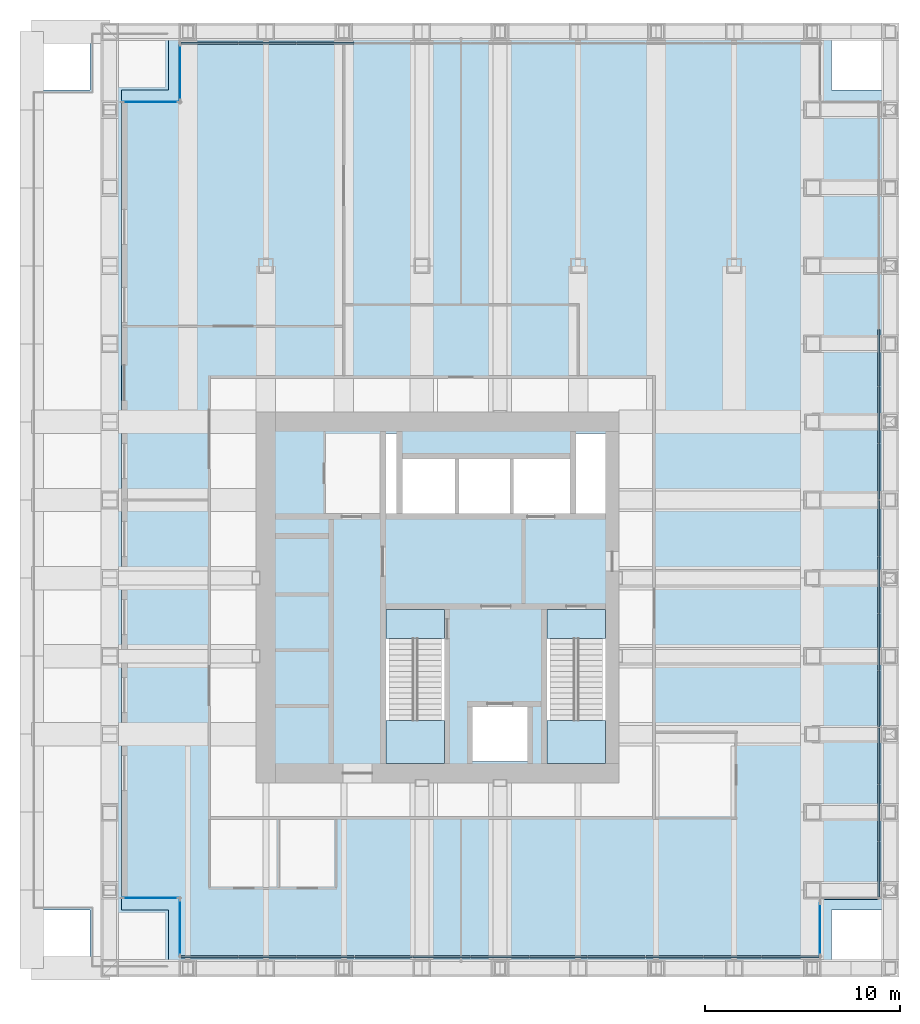
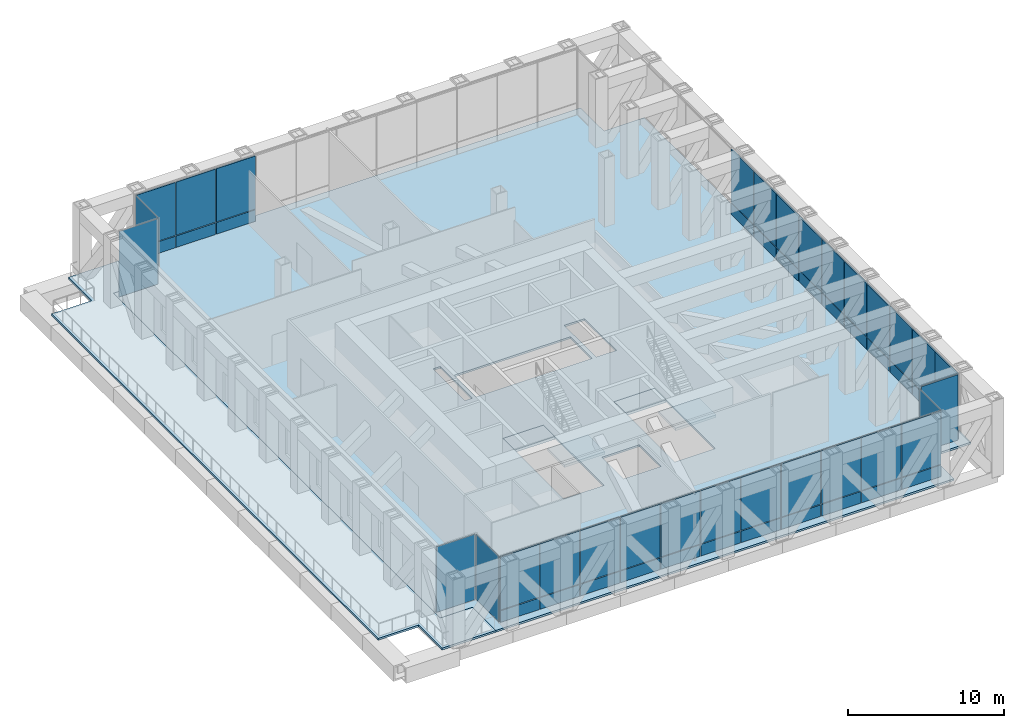
# One storey, part 8 of 12: 54 plates, 6 slabs, 11 elements without a shape of their own.
"""IFC4 building model written with IfcOpenShell, lengths in metres."""

from ifc_helpers import new_model, si_unit, direction, frame, origin, origin_2d, place, context, subcontext, project, spatial, polyline, rectangle, outline, extrude, material, layer, layer_set, type_object, element, aggregate, save


model = new_model("IFC4")

# Units and contexts
model_context = context("Model", 3, precision=1e-05, world=origin(), true_north=direction((0.0, 1.0)))
body_context = subcontext(model_context, "Body", "Model", "MODEL_VIEW")
ifc_project = project(units=[si_unit("LENGTHUNIT", "METRE"), si_unit("AREAUNIT", "SQUARE_METRE"), si_unit("VOLUMEUNIT", "CUBIC_METRE"), si_unit("PLANEANGLEUNIT", "RADIAN"), si_unit("MASSUNIT", "GRAM", prefix="KILO")], contexts=[model_context])

# Site, building, storey
site_placement = place(None, origin())
site = spatial("IfcSite", under=ifc_project, at=site_placement, CompositionType="ELEMENT")
building_placement = place(site_placement, origin())
building = spatial("IfcBuilding", under=site, at=building_placement, Name="Rimbunsela Tower", CompositionType="ELEMENT")
storey_placement = place(building_placement, frame((0.0, 0.0, 203.800048828125)))
storey = spatial("IfcBuildingStorey", under=building, at=storey_placement, Name="L49", CompositionType="ELEMENT", Elevation=203.800048828125)

# Slab
ifc_material_1 = material(Name="Concrete fc' 35 MPa", Category="concrete")
ifc_layer_1 = layer(ifc_material_1, 0.14990234375)
ifc_layer_set_1 = layer_set([ifc_layer_1], Name="Floor slab 150")
slab_type_1 = type_object("IfcSlabType", Name="Floor slab 150", PredefinedType="FLOOR", material=ifc_layer_set_1)
slab_1_placement = place(storey_placement, frame((0.0, 0.0, -0.150146484375)))
element("IfcSlab", 1, at=slab_1_placement, inside=storey, type_object=slab_type_1, Name="Floor slab L49", PredefinedType="FLOOR", context=body_context, shape_type="SweptSolid", body=[
    extrude(outline(polyline([(13.0, 53.0), (10.60009765625, 53.0), (10.60009765625, 11.0), (13.0, 11.0), (13.0, 8.0), (47.0, 8.0), (47.0, 11.0), (50.0, 11.0), (50.0, 53.0), (47.0, 53.0), (47.0, 56.0), (13.0, 56.0), (13.0, 53.0)]), holes=[polyline([(27.14990234375, 26.39990234375), (24.14990234375, 26.39990234375), (24.14990234375, 18.60009765625), (27.14990234375, 18.60009765625), (27.14990234375, 26.39990234375)]), polyline([(24.699951171875, 35.39990234375), (24.14990234375, 35.39990234375), (24.14990234375, 31.300048828125), (24.699951171875, 31.300048828125), (24.699951171875, 35.39990234375)]), polyline([(25.0, 34.10009765625), (25.0, 31.300048828125), (33.60009765625, 31.300048828125), (33.60009765625, 34.10009765625), (25.0, 34.10009765625)]), polyline([(31.39990234375, 21.39990234375), (28.60009765625, 21.39990234375), (28.60009765625, 18.60009765625), (31.39990234375, 18.60009765625), (31.39990234375, 21.39990234375)]), polyline([(35.39990234375, 26.39990234375), (32.39990234375, 26.39990234375), (32.39990234375, 18.60009765625), (35.39990234375, 18.60009765625), (35.39990234375, 26.39990234375)]), polyline([(35.39990234375, 35.39990234375), (33.89990234375, 35.39990234375), (33.89990234375, 31.300048828125), (35.39990234375, 31.300048828125), (35.39990234375, 35.39990234375)])]), origin(), (0.0, 0.0, 1.0), 0.150146484375),
])

# Curtain wall, plate
ifc_material_2 = material(Name="Aluminium curtain wall", Category="aluminium")
curtain_wall_type_1 = type_object("IfcCurtainWallType", Name="Corner glazing", PredefinedType="USERDEFINED", material=ifc_material_2)
curtain_wall_1_placement = place(storey_placement, origin())
curtain_wall_1 = element("IfcCurtainWall", 2, at=curtain_wall_1_placement, inside=storey, type_object=curtain_wall_type_1, Name="Corner glazing L49", ObjectType="CORNER GLAZING", PredefinedType="USERDEFINED")
ifc_material_3 = material(Name="Clear double glazing", Category="glass")
ifc_layer_2 = layer(ifc_material_3, 0.028076171875)
ifc_layer_set_2 = layer_set([ifc_layer_2], Name="Glazed panel clear")
plate_type_1 = type_object("IfcPlateType", Name="Glazed panel clear", PredefinedType="CURTAIN_PANEL", material=ifc_layer_set_2)
plate_1_placement = place(storey_placement, frame((46.39990234375, 10.00244140625, 0.06005859375), z_axis=(0.0, 0.0, 1.0), x_axis=(0.0, 1.0, 0.0)))
plate_1 = element("IfcPlate", 3, at=plate_1_placement, type_object=plate_type_1, Name="CW5 panel 1.1", PredefinedType="CURTAIN_PANEL", context=body_context, shape_type="SweptSolid", body=[
    extrude(rectangle(XDim=2.68505859375, YDim=0.028076171875, at=origin_2d()), origin(), (0.0, 0.0, 1.0), 5.1298828125),
])
aggregate(curtain_wall_1, [plate_1])

curtain_wall_2_placement = place(storey_placement, origin())
curtain_wall_2 = element("IfcCurtainWall", 4, at=curtain_wall_2_placement, inside=storey, type_object=curtain_wall_type_1, Name="Corner glazing L49", ObjectType="CORNER GLAZING", PredefinedType="USERDEFINED")
plate_2_placement = place(storey_placement, frame((13.60009765625, 53.89990234375, 0.06005859375), z_axis=(0.0, 0.0, 1.0), x_axis=(0.0, -1.0, 0.0)))
plate_2 = element("IfcPlate", 5, at=plate_2_placement, type_object=plate_type_1, Name="CW5 panel 1.1", PredefinedType="CURTAIN_PANEL", context=body_context, shape_type="SweptSolid", body=[
    extrude(rectangle(XDim=2.8798828125, YDim=0.028076171875, at=origin_2d()), origin(), (0.0, 0.0, 1.0), 5.1298828125),
])
aggregate(curtain_wall_2, [plate_2])

curtain_wall_3_placement = place(storey_placement, origin())
curtain_wall_3 = element("IfcCurtainWall", 6, at=curtain_wall_3_placement, inside=storey, type_object=curtain_wall_type_1, Name="Corner glazing L49", ObjectType="CORNER GLAZING", PredefinedType="USERDEFINED")
plate_3_placement = place(storey_placement, frame((12.10009765625, 52.39990234375, 0.06005859375), z_axis=(0.0, 0.0, 1.0), x_axis=(-1.0, 0.0, 0.0)))
plate_3 = element("IfcPlate", 7, at=plate_3_placement, type_object=plate_type_1, Name="CW5 panel 1.1", PredefinedType="CURTAIN_PANEL", context=body_context, shape_type="SweptSolid", body=[
    extrude(rectangle(XDim=2.8798828125, YDim=0.028076171875, at=origin_2d()), origin(), (0.0, 0.0, 1.0), 5.1298828125),
])
aggregate(curtain_wall_3, [plate_3])

curtain_wall_4_placement = place(storey_placement, origin())
curtain_wall_4 = element("IfcCurtainWall", 8, at=curtain_wall_4_placement, inside=storey, type_object=curtain_wall_type_1, Name="Corner glazing L49", ObjectType="CORNER GLAZING", PredefinedType="USERDEFINED")
plate_4_placement = place(storey_placement, frame((12.10009765625, 11.60009765625, 0.06005859375), z_axis=(0.0, 0.0, 1.0), x_axis=(1.0, 0.0, 0.0)))
plate_4 = element("IfcPlate", 9, at=plate_4_placement, type_object=plate_type_1, Name="CW5 panel 1.1", PredefinedType="CURTAIN_PANEL", context=body_context, shape_type="SweptSolid", body=[
    extrude(rectangle(XDim=2.8798828125, YDim=0.028076171875, at=origin_2d()), origin(), (0.0, 0.0, 1.0), 5.1298828125),
])
aggregate(curtain_wall_4, [plate_4])

curtain_wall_5_placement = place(storey_placement, origin())
curtain_wall_5 = element("IfcCurtainWall", 10, at=curtain_wall_5_placement, inside=storey, type_object=curtain_wall_type_1, Name="Corner glazing L49", ObjectType="CORNER GLAZING", PredefinedType="USERDEFINED")
plate_5_placement = place(storey_placement, frame((13.60009765625, 10.10009765625, 0.06005859375), z_axis=(0.0, 0.0, 1.0), x_axis=(0.0, -1.0, 0.0)))
plate_5 = element("IfcPlate", 11, at=plate_5_placement, type_object=plate_type_1, Name="CW5 panel 1.1", PredefinedType="CURTAIN_PANEL", context=body_context, shape_type="SweptSolid", body=[
    extrude(rectangle(XDim=2.8798828125, YDim=0.028076171875, at=origin_2d()), origin(), (0.0, 0.0, 1.0), 5.1298828125),
])
aggregate(curtain_wall_5, [plate_5])

ifc_material_4 = material(Name="Aluminium curtain wall", Category="aluminium")
curtain_wall_type_2 = type_object("IfcCurtainWallType", Name="Spandrel wall", PredefinedType="USERDEFINED", material=ifc_material_4)
curtain_wall_6_placement = place(storey_placement, origin())
curtain_wall_6 = element("IfcCurtainWall", 12, at=curtain_wall_6_placement, inside=storey, type_object=curtain_wall_type_2, Name="Spandrel wall L49", ObjectType="SPANDREL WALL", PredefinedType="USERDEFINED")
ifc_material_5 = material(Name="Insulated aluminium spandrel panel", Category="aluminium")
ifc_layer_3 = layer(ifc_material_5, 0.10009765625)
ifc_layer_set_3 = layer_set([ifc_layer_3], Name="Insulated panel 100")
plate_type_2 = type_object("IfcPlateType", Name="Insulated panel 100", PredefinedType="CURTAIN_PANEL", material=ifc_layer_set_3)
plate_6_placement = place(storey_placement, frame((47.99755859375, 11.60009765625, 0.06005859375), z_axis=(0.0, 0.0, 1.0), x_axis=(1.0, 0.0, 0.0)))
plate_6 = element("IfcPlate", 13, at=plate_6_placement, type_object=plate_type_2, Name="CW7 panel 1.1", PredefinedType="CURTAIN_PANEL", context=body_context, shape_type="SweptSolid", body=[
    extrude(rectangle(XDim=2.68505859375, YDim=0.10009765625, at=origin_2d()), origin(), (0.0, 0.0, 1.0), 5.1298828125),
])
aggregate(curtain_wall_6, [plate_6])

# Curtain wall, plates
ifc_material_6 = material(Name="Aluminium curtain wall", Category="aluminium")
curtain_wall_type_3 = type_object("IfcCurtainWallType", Name="Plant floor louvre wall", PredefinedType="USERDEFINED", material=ifc_material_6)
curtain_wall_7_placement = place(storey_placement, origin())
curtain_wall_7 = element("IfcCurtainWall", 14, at=curtain_wall_7_placement, inside=storey, type_object=curtain_wall_type_3, Name="Plant floor louvre wall L49", ObjectType="PLANT FLOOR LOUVRE WALL", PredefinedType="USERDEFINED")
ifc_material_7 = material(Name="Aluminium louvre blades 100 deep", Category="aluminium")
ifc_layer_4 = layer(ifc_material_7, 0.10009765625)
ifc_layer_set_4 = layer_set([ifc_layer_4], Name="Louvre panel 100")
plate_type_3 = type_object("IfcPlateType", Name="Louvre panel 100", PredefinedType="CURTAIN_PANEL", material=ifc_layer_set_4)
plate_7_placement = place(storey_placement, frame((49.39990234375, 13.072021484375, 0.06005859375), z_axis=(0.0, 0.0, 1.0), x_axis=(0.0, 1.0, 0.0)))
plate_7 = element("IfcPlate", 15, at=plate_7_placement, type_object=plate_type_3, Name="CW3 panel 1.1", PredefinedType="CURTAIN_PANEL", context=body_context, shape_type="SweptSolid", body=[
    extrude(rectangle(XDim=2.82421875, YDim=0.10009765625, at=origin_2d()), origin(), (0.0, 0.0, 1.0), 0.909912109375),
])
plate_8_placement = place(storey_placement, frame((49.39990234375, 13.072021484375, 1.02978515625), z_axis=(0.0, 0.0, 1.0), x_axis=(0.0, 1.0, 0.0)))
plate_8 = element("IfcPlate", 16, at=plate_8_placement, type_object=plate_type_3, Name="CW3 panel 1.2", PredefinedType="CURTAIN_PANEL", context=body_context, shape_type="SweptSolid", body=[
    extrude(rectangle(XDim=2.82421875, YDim=0.10009765625, at=origin_2d()), origin(), (0.0, 0.0, 1.0), 4.159912109375),
])
plate_9_placement = place(storey_placement, frame((49.39990234375, 15.971435546875, 0.06005859375), z_axis=(0.0, 0.0, 1.0), x_axis=(0.0, 1.0, 0.0)))
plate_9 = element("IfcPlate", 17, at=plate_9_placement, type_object=plate_type_3, Name="CW3 panel 2.1", PredefinedType="CURTAIN_PANEL", context=body_context, shape_type="SweptSolid", body=[
    extrude(rectangle(XDim=2.854248046875, YDim=0.10009765625, at=origin_2d()), origin(), (0.0, 0.0, 1.0), 0.909912109375),
])
plate_10_placement = place(storey_placement, frame((49.39990234375, 15.971435546875, 1.02978515625), z_axis=(0.0, 0.0, 1.0), x_axis=(0.0, 1.0, 0.0)))
plate_10 = element("IfcPlate", 18, at=plate_10_placement, type_object=plate_type_3, Name="CW3 panel 2.2", PredefinedType="CURTAIN_PANEL", context=body_context, shape_type="SweptSolid", body=[
    extrude(rectangle(XDim=2.854248046875, YDim=0.10009765625, at=origin_2d()), origin(), (0.0, 0.0, 1.0), 4.159912109375),
])
plate_11_placement = place(storey_placement, frame((49.39990234375, 18.8857421875, 0.06005859375), z_axis=(0.0, 0.0, 1.0), x_axis=(0.0, 1.0, 0.0)))
plate_11 = element("IfcPlate", 19, at=plate_11_placement, type_object=plate_type_3, Name="CW3 panel 3.1", PredefinedType="CURTAIN_PANEL", context=body_context, shape_type="SweptSolid", body=[
    extrude(rectangle(XDim=2.854248046875, YDim=0.10009765625, at=origin_2d()), origin(), (0.0, 0.0, 1.0), 0.909912109375),
])
plate_12_placement = place(storey_placement, frame((49.39990234375, 18.8857421875, 1.02978515625), z_axis=(0.0, 0.0, 1.0), x_axis=(0.0, 1.0, 0.0)))
plate_12 = element("IfcPlate", 20, at=plate_12_placement, type_object=plate_type_3, Name="CW3 panel 3.2", PredefinedType="CURTAIN_PANEL", context=body_context, shape_type="SweptSolid", body=[
    extrude(rectangle(XDim=2.854248046875, YDim=0.10009765625, at=origin_2d()), origin(), (0.0, 0.0, 1.0), 4.159912109375),
])
plate_13_placement = place(storey_placement, frame((49.39990234375, 21.800048828125, 0.06005859375), z_axis=(0.0, 0.0, 1.0), x_axis=(0.0, 1.0, 0.0)))
plate_13 = element("IfcPlate", 21, at=plate_13_placement, type_object=plate_type_3, Name="CW3 panel 4.1", PredefinedType="CURTAIN_PANEL", context=body_context, shape_type="SweptSolid", body=[
    extrude(rectangle(XDim=2.854248046875, YDim=0.10009765625, at=origin_2d()), origin(), (0.0, 0.0, 1.0), 0.909912109375),
])
plate_14_placement = place(storey_placement, frame((49.39990234375, 21.800048828125, 1.02978515625), z_axis=(0.0, 0.0, 1.0), x_axis=(0.0, 1.0, 0.0)))
plate_14 = element("IfcPlate", 22, at=plate_14_placement, type_object=plate_type_3, Name="CW3 panel 4.2", PredefinedType="CURTAIN_PANEL", context=body_context, shape_type="SweptSolid", body=[
    extrude(rectangle(XDim=2.854248046875, YDim=0.10009765625, at=origin_2d()), origin(), (0.0, 0.0, 1.0), 4.159912109375),
])
plate_15_placement = place(storey_placement, frame((49.39990234375, 24.71435546875, 0.06005859375), z_axis=(0.0, 0.0, 1.0), x_axis=(0.0, 1.0, 0.0)))
plate_15 = element("IfcPlate", 23, at=plate_15_placement, type_object=plate_type_3, Name="CW3 panel 5.1", PredefinedType="CURTAIN_PANEL", context=body_context, shape_type="SweptSolid", body=[
    extrude(rectangle(XDim=2.854248046875, YDim=0.10009765625, at=origin_2d()), origin(), (0.0, 0.0, 1.0), 0.909912109375),
])
plate_16_placement = place(storey_placement, frame((49.39990234375, 24.71435546875, 1.02978515625), z_axis=(0.0, 0.0, 1.0), x_axis=(0.0, 1.0, 0.0)))
plate_16 = element("IfcPlate", 24, at=plate_16_placement, type_object=plate_type_3, Name="CW3 panel 5.2", PredefinedType="CURTAIN_PANEL", context=body_context, shape_type="SweptSolid", body=[
    extrude(rectangle(XDim=2.854248046875, YDim=0.10009765625, at=origin_2d()), origin(), (0.0, 0.0, 1.0), 4.159912109375),
])
plate_17_placement = place(storey_placement, frame((49.39990234375, 27.628662109375, 0.06005859375), z_axis=(0.0, 0.0, 1.0), x_axis=(0.0, 1.0, 0.0)))
plate_17 = element("IfcPlate", 25, at=plate_17_placement, type_object=plate_type_3, Name="CW3 panel 6.1", PredefinedType="CURTAIN_PANEL", context=body_context, shape_type="SweptSolid", body=[
    extrude(rectangle(XDim=2.854248046875, YDim=0.10009765625, at=origin_2d()), origin(), (0.0, 0.0, 1.0), 0.909912109375),
])
plate_18_placement = place(storey_placement, frame((49.39990234375, 27.628662109375, 1.02978515625), z_axis=(0.0, 0.0, 1.0), x_axis=(0.0, 1.0, 0.0)))
plate_18 = element("IfcPlate", 26, at=plate_18_placement, type_object=plate_type_3, Name="CW3 panel 6.2", PredefinedType="CURTAIN_PANEL", context=body_context, shape_type="SweptSolid", body=[
    extrude(rectangle(XDim=2.854248046875, YDim=0.10009765625, at=origin_2d()), origin(), (0.0, 0.0, 1.0), 4.159912109375),
])
plate_19_placement = place(storey_placement, frame((49.39990234375, 30.54296875, 0.06005859375), z_axis=(0.0, 0.0, 1.0), x_axis=(0.0, 1.0, 0.0)))
plate_19 = element("IfcPlate", 27, at=plate_19_placement, type_object=plate_type_3, Name="CW3 panel 7.1", PredefinedType="CURTAIN_PANEL", context=body_context, shape_type="SweptSolid", body=[
    extrude(rectangle(XDim=2.854248046875, YDim=0.10009765625, at=origin_2d()), origin(), (0.0, 0.0, 1.0), 0.909912109375),
])
plate_20_placement = place(storey_placement, frame((49.39990234375, 30.54296875, 1.02978515625), z_axis=(0.0, 0.0, 1.0), x_axis=(0.0, 1.0, 0.0)))
plate_20 = element("IfcPlate", 28, at=plate_20_placement, type_object=plate_type_3, Name="CW3 panel 7.2", PredefinedType="CURTAIN_PANEL", context=body_context, shape_type="SweptSolid", body=[
    extrude(rectangle(XDim=2.854248046875, YDim=0.10009765625, at=origin_2d()), origin(), (0.0, 0.0, 1.0), 4.159912109375),
])
plate_21_placement = place(storey_placement, frame((49.39990234375, 33.45703125, 0.06005859375), z_axis=(0.0, 0.0, 1.0), x_axis=(0.0, 1.0, 0.0)))
plate_21 = element("IfcPlate", 29, at=plate_21_placement, type_object=plate_type_3, Name="CW3 panel 8.1", PredefinedType="CURTAIN_PANEL", context=body_context, shape_type="SweptSolid", body=[
    extrude(rectangle(XDim=2.854248046875, YDim=0.10009765625, at=origin_2d()), origin(), (0.0, 0.0, 1.0), 0.909912109375),
])
plate_22_placement = place(storey_placement, frame((49.39990234375, 33.45703125, 1.02978515625), z_axis=(0.0, 0.0, 1.0), x_axis=(0.0, 1.0, 0.0)))
plate_22 = element("IfcPlate", 30, at=plate_22_placement, type_object=plate_type_3, Name="CW3 panel 8.2", PredefinedType="CURTAIN_PANEL", context=body_context, shape_type="SweptSolid", body=[
    extrude(rectangle(XDim=2.854248046875, YDim=0.10009765625, at=origin_2d()), origin(), (0.0, 0.0, 1.0), 4.159912109375),
])
plate_23_placement = place(storey_placement, frame((49.39990234375, 36.371337890625, 0.06005859375), z_axis=(0.0, 0.0, 1.0), x_axis=(0.0, 1.0, 0.0)))
plate_23 = element("IfcPlate", 31, at=plate_23_placement, type_object=plate_type_3, Name="CW3 panel 9.1", PredefinedType="CURTAIN_PANEL", context=body_context, shape_type="SweptSolid", body=[
    extrude(rectangle(XDim=2.854248046875, YDim=0.10009765625, at=origin_2d()), origin(), (0.0, 0.0, 1.0), 0.909912109375),
])
plate_24_placement = place(storey_placement, frame((49.39990234375, 36.371337890625, 1.02978515625), z_axis=(0.0, 0.0, 1.0), x_axis=(0.0, 1.0, 0.0)))
plate_24 = element("IfcPlate", 32, at=plate_24_placement, type_object=plate_type_3, Name="CW3 panel 9.2", PredefinedType="CURTAIN_PANEL", context=body_context, shape_type="SweptSolid", body=[
    extrude(rectangle(XDim=2.854248046875, YDim=0.10009765625, at=origin_2d()), origin(), (0.0, 0.0, 1.0), 4.159912109375),
])
plate_25_placement = place(storey_placement, frame((49.39990234375, 39.28564453125, 0.06005859375), z_axis=(0.0, 0.0, 1.0), x_axis=(0.0, 1.0, 0.0)))
plate_25 = element("IfcPlate", 33, at=plate_25_placement, type_object=plate_type_3, Name="CW3 panel 10.1", PredefinedType="CURTAIN_PANEL", context=body_context, shape_type="SweptSolid", body=[
    extrude(rectangle(XDim=2.854248046875, YDim=0.10009765625, at=origin_2d()), origin(), (0.0, 0.0, 1.0), 0.909912109375),
])
plate_26_placement = place(storey_placement, frame((49.39990234375, 39.28564453125, 1.02978515625), z_axis=(0.0, 0.0, 1.0), x_axis=(0.0, 1.0, 0.0)))
plate_26 = element("IfcPlate", 34, at=plate_26_placement, type_object=plate_type_3, Name="CW3 panel 10.2", PredefinedType="CURTAIN_PANEL", context=body_context, shape_type="SweptSolid", body=[
    extrude(rectangle(XDim=2.854248046875, YDim=0.10009765625, at=origin_2d()), origin(), (0.0, 0.0, 1.0), 4.159912109375),
])
aggregate(curtain_wall_7, [plate_7, plate_8, plate_9, plate_10, plate_11, plate_12, plate_13, plate_14, plate_15, plate_16, plate_17, plate_18, plate_19, plate_20, plate_21, plate_22, plate_23, plate_24, plate_25, plate_26])

curtain_wall_8_placement = place(storey_placement, origin())
curtain_wall_8 = element("IfcCurtainWall", 35, at=curtain_wall_8_placement, inside=storey, type_object=curtain_wall_type_3, Name="Plant floor louvre wall L49", ObjectType="PLANT FLOOR LOUVRE WALL", PredefinedType="USERDEFINED")
plate_27_placement = place(storey_placement, frame((21.054443359375, 55.39990234375, 0.06005859375), z_axis=(0.0, 0.0, 1.0), x_axis=(-1.0, 0.0, 0.0)))
plate_27 = element("IfcPlate", 36, at=plate_27_placement, type_object=plate_type_3, Name="CW3 panel 9.1", PredefinedType="CURTAIN_PANEL", context=body_context, shape_type="SweptSolid", body=[
    extrude(rectangle(XDim=2.921875, YDim=0.10009765625, at=origin_2d()), origin(), (0.0, 0.0, 1.0), 0.909912109375),
])
plate_28_placement = place(storey_placement, frame((21.054443359375, 55.39990234375, 1.02978515625), z_axis=(0.0, 0.0, 1.0), x_axis=(-1.0, 0.0, 0.0)))
plate_28 = element("IfcPlate", 37, at=plate_28_placement, type_object=plate_type_3, Name="CW3 panel 9.2", PredefinedType="CURTAIN_PANEL", context=body_context, shape_type="SweptSolid", body=[
    extrude(rectangle(XDim=2.921875, YDim=0.10009765625, at=origin_2d()), origin(), (0.0, 0.0, 1.0), 4.159912109375),
])
plate_29_placement = place(storey_placement, frame((18.07275390625, 55.39990234375, 0.06005859375), z_axis=(0.0, 0.0, 1.0), x_axis=(-1.0, 0.0, 0.0)))
plate_29 = element("IfcPlate", 38, at=plate_29_placement, type_object=plate_type_3, Name="CW3 panel 10.1", PredefinedType="CURTAIN_PANEL", context=body_context, shape_type="SweptSolid", body=[
    extrude(rectangle(XDim=2.921875, YDim=0.10009765625, at=origin_2d()), origin(), (0.0, 0.0, 1.0), 0.909912109375),
])
plate_30_placement = place(storey_placement, frame((18.07275390625, 55.39990234375, 1.02978515625), z_axis=(0.0, 0.0, 1.0), x_axis=(-1.0, 0.0, 0.0)))
plate_30 = element("IfcPlate", 39, at=plate_30_placement, type_object=plate_type_3, Name="CW3 panel 10.2", PredefinedType="CURTAIN_PANEL", context=body_context, shape_type="SweptSolid", body=[
    extrude(rectangle(XDim=2.921875, YDim=0.10009765625, at=origin_2d()), origin(), (0.0, 0.0, 1.0), 4.159912109375),
])
plate_31_placement = place(storey_placement, frame((15.10595703125, 55.39990234375, 0.06005859375), z_axis=(0.0, 0.0, 1.0), x_axis=(-1.0, 0.0, 0.0)))
plate_31 = element("IfcPlate", 40, at=plate_31_placement, type_object=plate_type_3, Name="CW3 panel 11.1", PredefinedType="CURTAIN_PANEL", context=body_context, shape_type="SweptSolid", body=[
    extrude(rectangle(XDim=2.891845703125, YDim=0.10009765625, at=origin_2d()), origin(), (0.0, 0.0, 1.0), 0.909912109375),
])
plate_32_placement = place(storey_placement, frame((15.10595703125, 55.39990234375, 1.02978515625), z_axis=(0.0, 0.0, 1.0), x_axis=(-1.0, 0.0, 0.0)))
plate_32 = element("IfcPlate", 41, at=plate_32_placement, type_object=plate_type_3, Name="CW3 panel 11.2", PredefinedType="CURTAIN_PANEL", context=body_context, shape_type="SweptSolid", body=[
    extrude(rectangle(XDim=2.891845703125, YDim=0.10009765625, at=origin_2d()), origin(), (0.0, 0.0, 1.0), 4.159912109375),
])
aggregate(curtain_wall_8, [plate_27, plate_28, plate_29, plate_30, plate_31, plate_32])

curtain_wall_9_placement = place(storey_placement, origin())
curtain_wall_9 = element("IfcCurtainWall", 42, at=curtain_wall_9_placement, inside=storey, type_object=curtain_wall_type_3, Name="Plant floor louvre wall L49", ObjectType="PLANT FLOOR LOUVRE WALL", PredefinedType="USERDEFINED")
plate_33_placement = place(storey_placement, frame((15.10595703125, 8.60009765625, 0.06005859375), z_axis=(0.0, 0.0, 1.0), x_axis=(1.0, 0.0, 0.0)))
plate_33 = element("IfcPlate", 43, at=plate_33_placement, type_object=plate_type_3, Name="CW3 panel 1.1", PredefinedType="CURTAIN_PANEL", context=body_context, shape_type="SweptSolid", body=[
    extrude(rectangle(XDim=2.891845703125, YDim=0.10009765625, at=origin_2d()), origin(), (0.0, 0.0, 1.0), 0.909912109375),
])
plate_34_placement = place(storey_placement, frame((15.10595703125, 8.60009765625, 1.02978515625), z_axis=(0.0, 0.0, 1.0), x_axis=(1.0, 0.0, 0.0)))
plate_34 = element("IfcPlate", 44, at=plate_34_placement, type_object=plate_type_3, Name="CW3 panel 1.2", PredefinedType="CURTAIN_PANEL", context=body_context, shape_type="SweptSolid", body=[
    extrude(rectangle(XDim=2.891845703125, YDim=0.10009765625, at=origin_2d()), origin(), (0.0, 0.0, 1.0), 4.159912109375),
])
plate_35_placement = place(storey_placement, frame((18.07275390625, 8.60009765625, 0.06005859375), z_axis=(0.0, 0.0, 1.0), x_axis=(1.0, 0.0, 0.0)))
plate_35 = element("IfcPlate", 45, at=plate_35_placement, type_object=plate_type_3, Name="CW3 panel 2.1", PredefinedType="CURTAIN_PANEL", context=body_context, shape_type="SweptSolid", body=[
    extrude(rectangle(XDim=2.921875, YDim=0.10009765625, at=origin_2d()), origin(), (0.0, 0.0, 1.0), 0.909912109375),
])
plate_36_placement = place(storey_placement, frame((18.07275390625, 8.60009765625, 1.02978515625), z_axis=(0.0, 0.0, 1.0), x_axis=(1.0, 0.0, 0.0)))
plate_36 = element("IfcPlate", 46, at=plate_36_placement, type_object=plate_type_3, Name="CW3 panel 2.2", PredefinedType="CURTAIN_PANEL", context=body_context, shape_type="SweptSolid", body=[
    extrude(rectangle(XDim=2.921875, YDim=0.10009765625, at=origin_2d()), origin(), (0.0, 0.0, 1.0), 4.159912109375),
])
plate_37_placement = place(storey_placement, frame((21.054443359375, 8.60009765625, 0.06005859375), z_axis=(0.0, 0.0, 1.0), x_axis=(1.0, 0.0, 0.0)))
plate_37 = element("IfcPlate", 47, at=plate_37_placement, type_object=plate_type_3, Name="CW3 panel 3.1", PredefinedType="CURTAIN_PANEL", context=body_context, shape_type="SweptSolid", body=[
    extrude(rectangle(XDim=2.921875, YDim=0.10009765625, at=origin_2d()), origin(), (0.0, 0.0, 1.0), 0.909912109375),
])
plate_38_placement = place(storey_placement, frame((21.054443359375, 8.60009765625, 1.02978515625), z_axis=(0.0, 0.0, 1.0), x_axis=(1.0, 0.0, 0.0)))
plate_38 = element("IfcPlate", 48, at=plate_38_placement, type_object=plate_type_3, Name="CW3 panel 3.2", PredefinedType="CURTAIN_PANEL", context=body_context, shape_type="SweptSolid", body=[
    extrude(rectangle(XDim=2.921875, YDim=0.10009765625, at=origin_2d()), origin(), (0.0, 0.0, 1.0), 4.159912109375),
])
plate_39_placement = place(storey_placement, frame((24.036376953125, 8.60009765625, 0.06005859375), z_axis=(0.0, 0.0, 1.0), x_axis=(1.0, 0.0, 0.0)))
plate_39 = element("IfcPlate", 49, at=plate_39_placement, type_object=plate_type_3, Name="CW3 panel 4.1", PredefinedType="CURTAIN_PANEL", context=body_context, shape_type="SweptSolid", body=[
    extrude(rectangle(XDim=2.921875, YDim=0.10009765625, at=origin_2d()), origin(), (0.0, 0.0, 1.0), 0.909912109375),
])
plate_40_placement = place(storey_placement, frame((24.036376953125, 8.60009765625, 1.02978515625), z_axis=(0.0, 0.0, 1.0), x_axis=(1.0, 0.0, 0.0)))
plate_40 = element("IfcPlate", 50, at=plate_40_placement, type_object=plate_type_3, Name="CW3 panel 4.2", PredefinedType="CURTAIN_PANEL", context=body_context, shape_type="SweptSolid", body=[
    extrude(rectangle(XDim=2.921875, YDim=0.10009765625, at=origin_2d()), origin(), (0.0, 0.0, 1.0), 4.159912109375),
])
plate_41_placement = place(storey_placement, frame((27.01806640625, 8.60009765625, 0.06005859375), z_axis=(0.0, 0.0, 1.0), x_axis=(1.0, 0.0, 0.0)))
plate_41 = element("IfcPlate", 51, at=plate_41_placement, type_object=plate_type_3, Name="CW3 panel 5.1", PredefinedType="CURTAIN_PANEL", context=body_context, shape_type="SweptSolid", body=[
    extrude(rectangle(XDim=2.921875, YDim=0.10009765625, at=origin_2d()), origin(), (0.0, 0.0, 1.0), 0.909912109375),
])
plate_42_placement = place(storey_placement, frame((27.01806640625, 8.60009765625, 1.02978515625), z_axis=(0.0, 0.0, 1.0), x_axis=(1.0, 0.0, 0.0)))
plate_42 = element("IfcPlate", 52, at=plate_42_placement, type_object=plate_type_3, Name="CW3 panel 5.2", PredefinedType="CURTAIN_PANEL", context=body_context, shape_type="SweptSolid", body=[
    extrude(rectangle(XDim=2.921875, YDim=0.10009765625, at=origin_2d()), origin(), (0.0, 0.0, 1.0), 4.159912109375),
])
plate_43_placement = place(storey_placement, frame((30.0, 8.60009765625, 0.06005859375), z_axis=(0.0, 0.0, 1.0), x_axis=(1.0, 0.0, 0.0)))
plate_43 = element("IfcPlate", 53, at=plate_43_placement, type_object=plate_type_3, Name="CW3 panel 6.1", PredefinedType="CURTAIN_PANEL", context=body_context, shape_type="SweptSolid", body=[
    extrude(rectangle(XDim=2.921875, YDim=0.10009765625, at=origin_2d()), origin(), (0.0, 0.0, 1.0), 0.909912109375),
])
plate_44_placement = place(storey_placement, frame((30.0, 8.60009765625, 1.02978515625), z_axis=(0.0, 0.0, 1.0), x_axis=(1.0, 0.0, 0.0)))
plate_44 = element("IfcPlate", 54, at=plate_44_placement, type_object=plate_type_3, Name="CW3 panel 6.2", PredefinedType="CURTAIN_PANEL", context=body_context, shape_type="SweptSolid", body=[
    extrude(rectangle(XDim=2.921875, YDim=0.10009765625, at=origin_2d()), origin(), (0.0, 0.0, 1.0), 4.159912109375),
])
plate_45_placement = place(storey_placement, frame((32.98193359375, 8.60009765625, 0.06005859375), z_axis=(0.0, 0.0, 1.0), x_axis=(1.0, 0.0, 0.0)))
plate_45 = element("IfcPlate", 55, at=plate_45_placement, type_object=plate_type_3, Name="CW3 panel 7.1", PredefinedType="CURTAIN_PANEL", context=body_context, shape_type="SweptSolid", body=[
    extrude(rectangle(XDim=2.921875, YDim=0.10009765625, at=origin_2d()), origin(), (0.0, 0.0, 1.0), 0.909912109375),
])
plate_46_placement = place(storey_placement, frame((32.98193359375, 8.60009765625, 1.02978515625), z_axis=(0.0, 0.0, 1.0), x_axis=(1.0, 0.0, 0.0)))
plate_46 = element("IfcPlate", 56, at=plate_46_placement, type_object=plate_type_3, Name="CW3 panel 7.2", PredefinedType="CURTAIN_PANEL", context=body_context, shape_type="SweptSolid", body=[
    extrude(rectangle(XDim=2.921875, YDim=0.10009765625, at=origin_2d()), origin(), (0.0, 0.0, 1.0), 4.159912109375),
])
plate_47_placement = place(storey_placement, frame((35.963623046875, 8.60009765625, 0.06005859375), z_axis=(0.0, 0.0, 1.0), x_axis=(1.0, 0.0, 0.0)))
plate_47 = element("IfcPlate", 57, at=plate_47_placement, type_object=plate_type_3, Name="CW3 panel 8.1", PredefinedType="CURTAIN_PANEL", context=body_context, shape_type="SweptSolid", body=[
    extrude(rectangle(XDim=2.921875, YDim=0.10009765625, at=origin_2d()), origin(), (0.0, 0.0, 1.0), 0.909912109375),
])
plate_48_placement = place(storey_placement, frame((35.963623046875, 8.60009765625, 1.02978515625), z_axis=(0.0, 0.0, 1.0), x_axis=(1.0, 0.0, 0.0)))
plate_48 = element("IfcPlate", 58, at=plate_48_placement, type_object=plate_type_3, Name="CW3 panel 8.2", PredefinedType="CURTAIN_PANEL", context=body_context, shape_type="SweptSolid", body=[
    extrude(rectangle(XDim=2.921875, YDim=0.10009765625, at=origin_2d()), origin(), (0.0, 0.0, 1.0), 4.159912109375),
])
plate_49_placement = place(storey_placement, frame((38.945556640625, 8.60009765625, 0.06005859375), z_axis=(0.0, 0.0, 1.0), x_axis=(1.0, 0.0, 0.0)))
plate_49 = element("IfcPlate", 59, at=plate_49_placement, type_object=plate_type_3, Name="CW3 panel 9.1", PredefinedType="CURTAIN_PANEL", context=body_context, shape_type="SweptSolid", body=[
    extrude(rectangle(XDim=2.921875, YDim=0.10009765625, at=origin_2d()), origin(), (0.0, 0.0, 1.0), 0.909912109375),
])
plate_50_placement = place(storey_placement, frame((38.945556640625, 8.60009765625, 1.02978515625), z_axis=(0.0, 0.0, 1.0), x_axis=(1.0, 0.0, 0.0)))
plate_50 = element("IfcPlate", 60, at=plate_50_placement, type_object=plate_type_3, Name="CW3 panel 9.2", PredefinedType="CURTAIN_PANEL", context=body_context, shape_type="SweptSolid", body=[
    extrude(rectangle(XDim=2.921875, YDim=0.10009765625, at=origin_2d()), origin(), (0.0, 0.0, 1.0), 4.159912109375),
])
plate_51_placement = place(storey_placement, frame((41.92724609375, 8.60009765625, 0.06005859375), z_axis=(0.0, 0.0, 1.0), x_axis=(1.0, 0.0, 0.0)))
plate_51 = element("IfcPlate", 61, at=plate_51_placement, type_object=plate_type_3, Name="CW3 panel 10.1", PredefinedType="CURTAIN_PANEL", context=body_context, shape_type="SweptSolid", body=[
    extrude(rectangle(XDim=2.921875, YDim=0.10009765625, at=origin_2d()), origin(), (0.0, 0.0, 1.0), 0.909912109375),
])
plate_52_placement = place(storey_placement, frame((41.92724609375, 8.60009765625, 1.02978515625), z_axis=(0.0, 0.0, 1.0), x_axis=(1.0, 0.0, 0.0)))
plate_52 = element("IfcPlate", 62, at=plate_52_placement, type_object=plate_type_3, Name="CW3 panel 10.2", PredefinedType="CURTAIN_PANEL", context=body_context, shape_type="SweptSolid", body=[
    extrude(rectangle(XDim=2.921875, YDim=0.10009765625, at=origin_2d()), origin(), (0.0, 0.0, 1.0), 4.159912109375),
])
plate_53_placement = place(storey_placement, frame((44.89404296875, 8.60009765625, 0.06005859375), z_axis=(0.0, 0.0, 1.0), x_axis=(1.0, 0.0, 0.0)))
plate_53 = element("IfcPlate", 63, at=plate_53_placement, type_object=plate_type_3, Name="CW3 panel 11.1", PredefinedType="CURTAIN_PANEL", context=body_context, shape_type="SweptSolid", body=[
    extrude(rectangle(XDim=2.891845703125, YDim=0.10009765625, at=origin_2d()), origin(), (0.0, 0.0, 1.0), 0.909912109375),
])
plate_54_placement = place(storey_placement, frame((44.89404296875, 8.60009765625, 1.02978515625), z_axis=(0.0, 0.0, 1.0), x_axis=(1.0, 0.0, 0.0)))
plate_54 = element("IfcPlate", 64, at=plate_54_placement, type_object=plate_type_3, Name="CW3 panel 11.2", PredefinedType="CURTAIN_PANEL", context=body_context, shape_type="SweptSolid", body=[
    extrude(rectangle(XDim=2.891845703125, YDim=0.10009765625, at=origin_2d()), origin(), (0.0, 0.0, 1.0), 4.159912109375),
])
aggregate(curtain_wall_9, [plate_33, plate_34, plate_35, plate_36, plate_37, plate_38, plate_39, plate_40, plate_41, plate_42, plate_43, plate_44, plate_45, plate_46, plate_47, plate_48, plate_49, plate_50, plate_51, plate_52, plate_53, plate_54])

# Stair, slabs
ifc_material_8 = material(Name="Concrete fc' 35 MPa", Category="concrete")
stair_type = type_object("IfcStairType", Name="Exit stair 32 risers", PredefinedType="HALF_TURN_STAIR", material=ifc_material_8)
stair_1_placement = place(storey_placement, origin())
stair_1 = element("IfcStair", 65, at=stair_1_placement, inside=storey, type_object=stair_type, Name="Exit stair A L49", PredefinedType="HALF_TURN_STAIR")
ifc_material_9 = material(Name="Concrete fc' 35 MPa", Category="concrete")
ifc_layer_5 = layer(ifc_material_9, 0.199951171875)
ifc_layer_set_5 = layer_set([ifc_layer_5], Name="Stair landing 200")
slab_type_2 = type_object("IfcSlabType", Name="Stair landing 200", PredefinedType="LANDING", material=ifc_layer_set_5)
slab_2_placement = place(storey_placement, frame((0.0, 0.0, -0.199951171875)))
slab_2 = element("IfcSlab", 66, at=slab_2_placement, type_object=slab_type_2, Name="ST-A landing 1", PredefinedType="LANDING", context=body_context, shape_type="SweptSolid", body=[
    extrude(outline(polyline([(24.14990234375, 24.89990234375), (27.14990234375, 24.89990234375), (27.14990234375, 26.39990234375), (24.14990234375, 26.39990234375), (24.14990234375, 24.89990234375)])), origin(), (0.0, 0.0, 1.0), 0.199951171875),
])
slab_3_placement = place(storey_placement, frame((0.0, 0.0, 2.5)))
slab_3 = element("IfcSlab", 67, at=slab_3_placement, type_object=slab_type_2, Name="ST-A landing 2", PredefinedType="LANDING", context=body_context, shape_type="SweptSolid", body=[
    extrude(outline(polyline([(24.14990234375, 18.5), (27.14990234375, 18.5), (27.14990234375, 20.699951171875), (24.14990234375, 20.699951171875), (24.14990234375, 18.5)])), origin(), (0.0, 0.0, 1.0), 0.199951171875),
])
aggregate(stair_1, [slab_2, slab_3])

stair_2_placement = place(storey_placement, origin())
stair_2 = element("IfcStair", 68, at=stair_2_placement, inside=storey, type_object=stair_type, Name="Exit stair B L49", PredefinedType="HALF_TURN_STAIR")
slab_4_placement = place(storey_placement, frame((0.0, 0.0, -0.199951171875)))
slab_4 = element("IfcSlab", 69, at=slab_4_placement, type_object=slab_type_2, Name="ST-B landing 1", PredefinedType="LANDING", context=body_context, shape_type="SweptSolid", body=[
    extrude(outline(polyline([(32.39990234375, 24.89990234375), (35.39990234375, 24.89990234375), (35.39990234375, 26.39990234375), (32.39990234375, 26.39990234375), (32.39990234375, 24.89990234375)])), origin(), (0.0, 0.0, 1.0), 0.199951171875),
])
slab_5_placement = place(storey_placement, frame((0.0, 0.0, 2.5)))
slab_5 = element("IfcSlab", 70, at=slab_5_placement, type_object=slab_type_2, Name="ST-B landing 2", PredefinedType="LANDING", context=body_context, shape_type="SweptSolid", body=[
    extrude(outline(polyline([(32.39990234375, 18.5), (35.39990234375, 18.5), (35.39990234375, 20.699951171875), (32.39990234375, 20.699951171875), (32.39990234375, 18.5)])), origin(), (0.0, 0.0, 1.0), 0.199951171875),
])
aggregate(stair_2, [slab_4, slab_5])

# Slab
ifc_material_10 = material(Name="Concrete fc' 35 MPa", Category="concrete")
ifc_layer_6 = layer(ifc_material_10, 0.14990234375)
ifc_layer_set_6 = layer_set([ifc_layer_6], Name="Terrace slab 150")
slab_type_3 = type_object("IfcSlabType", Name="Terrace slab 150", PredefinedType="ROOF", material=ifc_layer_set_6)
slab_6_placement = place(storey_placement, frame((0.0, 0.0, -0.150146484375)))
element("IfcSlab", 71, at=slab_6_placement, inside=storey, type_object=slab_type_3, Name="Maintenance roof L49", PredefinedType="ROOF", context=body_context, shape_type="SweptSolid", body=[
    extrude(outline(polyline([(9.0, 8.0), (9.0, 11.0), (6.0, 11.0), (6.0, 53.0), (9.0, 53.0), (9.0, 56.0), (13.0, 56.0), (13.0, 53.0), (10.60009765625, 53.0), (10.60009765625, 11.0), (13.0, 11.0), (13.0, 8.0), (9.0, 8.0)])), origin(), (0.0, 0.0, 1.0), 0.150146484375),
])

save(model, "model.ifc")
